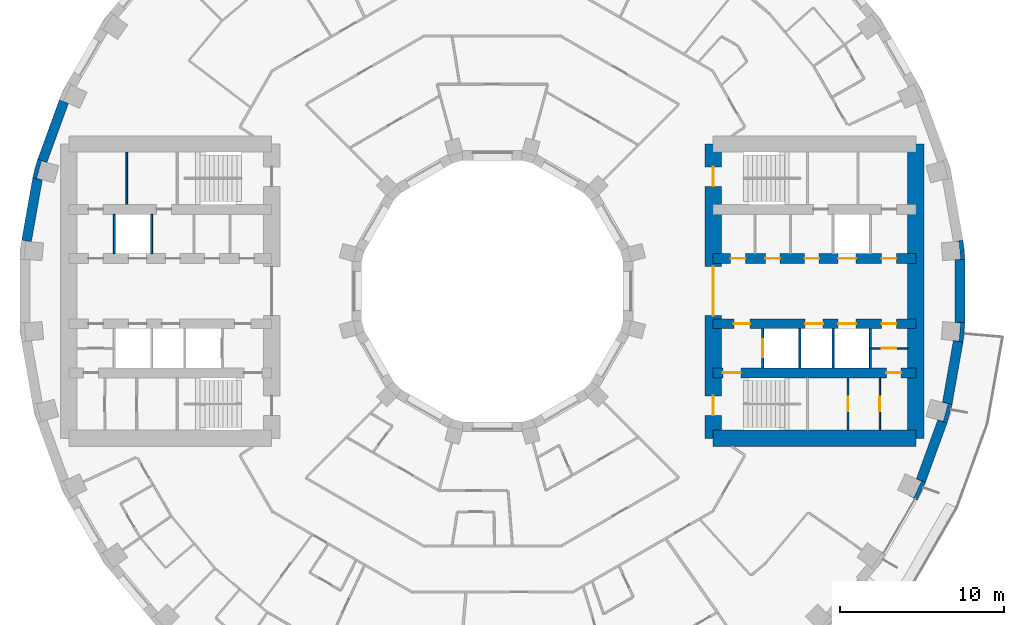
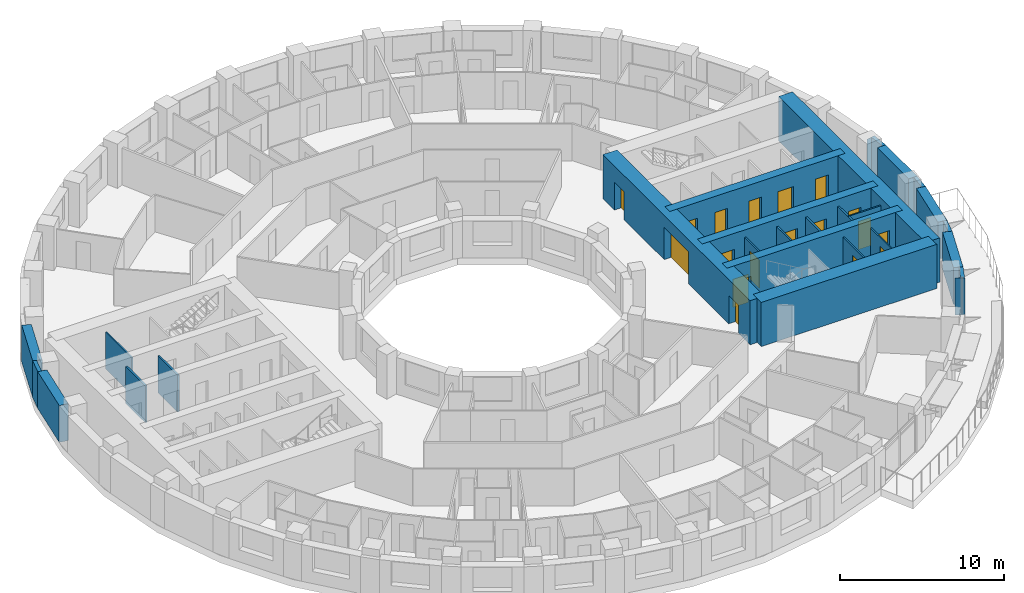
# One storey, part 9 of 15: 26 walls, 18 doors, 18 openings.
"""IFC4 building model written with IfcOpenShell, lengths in metres."""

from ifc_helpers import new_model, si_unit, direction, frame, frame_2d, origin, place, context, subcontext, project, spatial, polyline, rectangle, outline, extrude, material, layer, layer_set, type_object, element, fill, save


model = new_model("IFC4")

# Units and contexts
model_context = context("Model", 3, precision=1e-05, world=origin(), true_north=direction((0.0, 1.0)))
body_context = subcontext(model_context, "Body", "Model", "MODEL_VIEW")
ifc_project = project(units=[si_unit("LENGTHUNIT", "METRE"), si_unit("AREAUNIT", "SQUARE_METRE"), si_unit("VOLUMEUNIT", "CUBIC_METRE"), si_unit("PLANEANGLEUNIT", "RADIAN"), si_unit("MASSUNIT", "GRAM", prefix="KILO")], contexts=[model_context])

# Site, building, storey
site_placement = place(None, origin())
site = spatial("IfcSite", under=ifc_project, at=site_placement, CompositionType="ELEMENT")
building_placement = place(site_placement, origin())
building = spatial("IfcBuilding", under=site, at=building_placement, Name="Saqina Gate Tower", CompositionType="ELEMENT")
storey_placement = place(building_placement, frame((0.0, 0.0, 39.5)))
storey = spatial("IfcBuildingStorey", under=building, at=storey_placement, Name="L10", CompositionType="ELEMENT", Elevation=39.5)

# Walls
ifc_material_1 = material(Name="Brick masonry (red)", Category="masonry")
wall_type_1 = type_object("IfcWallType", Name="BRICK PIER COPING RED", PredefinedType="SOLIDWALL", material=ifc_material_1)
wall_1_placement = place(storey_placement, origin())
element("IfcWall", 1, at=wall_1_placement, inside=storey, type_object=wall_type_1, Name="Pier cap L10 column 1", PredefinedType="SOLIDWALL", context=body_context, shape_type="SweptSolid", body=[
    extrude(outline(polyline([(28.8896484375, 1.9228515625), (28.78466796875, 3.122802734375), (28.19384765625, 3.018798828125), (28.54296875, 3.04931640625), (28.638671875, 1.95361328125), (28.28955078125, 1.9228515625), (28.8896484375, 1.9228515625)])), origin(), (0.0, 0.0, 1.0), 2.75),
])
wall_2_placement = place(storey_placement, origin())
element("IfcWall", 2, at=wall_2_placement, inside=storey, type_object=wall_type_1, Name="Pier cap L10 column 17", PredefinedType="SOLIDWALL", context=body_context, shape_type="SweptSolid", body=[
    extrude(outline(polyline([(-28.11669921875, 6.910400390625), (-27.52587890625, 6.80615234375), (-27.864501953125, 6.896728515625), (-27.57958984375, 7.95947265625), (-27.2412109375, 7.86865234375), (-27.80517578125, 8.073974609375), (-28.11669921875, 6.910400390625)])), origin(), (0.0, 0.0, 1.0), 2.75),
])
wall_3_placement = place(storey_placement, origin())
element("IfcWall", 3, at=wall_3_placement, inside=storey, type_object=wall_type_1, Name="Pier cap L10 column 34", PredefinedType="SOLIDWALL", context=body_context, shape_type="SweptSolid", body=[
    extrude(outline(polyline([(26.48974609375, -11.687744140625), (25.92578125, -11.482666015625), (26.243408203125, -11.630615234375), (25.778564453125, -12.627685546875), (25.4609375, -12.4794921875), (25.980712890625, -12.779541015625), (26.48974609375, -11.687744140625)])), origin(), (0.0, 0.0, 1.0), 2.75),
])
wall_4_placement = place(storey_placement, origin())
element("IfcWall", 4, at=wall_4_placement, inside=storey, type_object=wall_type_1, Name="Pier cap L10 column 35", PredefinedType="SOLIDWALL", context=body_context, shape_type="SweptSolid", body=[
    extrude(outline(polyline([(28.11669921875, -6.910400390625), (27.52587890625, -6.80615234375), (27.864501953125, -6.896728515625), (27.57958984375, -7.95947265625), (27.2412109375, -7.86865234375), (27.80517578125, -8.073974609375), (28.11669921875, -6.910400390625)])), origin(), (0.0, 0.0, 1.0), 2.75),
])
wall_5_placement = place(storey_placement, origin())
element("IfcWall", 5, at=wall_5_placement, inside=storey, type_object=wall_type_1, Name="Pier cap L10 column 36", PredefinedType="SOLIDWALL", context=body_context, shape_type="SweptSolid", body=[
    extrude(outline(polyline([(28.78466796875, -3.122802734375), (28.8896484375, -1.9228515625), (28.28955078125, -1.9228515625), (28.638671875, -1.95361328125), (28.54296875, -3.04931640625), (28.19384765625, -3.018798828125), (28.78466796875, -3.122802734375)])), origin(), (0.0, 0.0, 1.0), 2.75),
])

# Wall, opening, door
ifc_material_2 = material(Name="Gypsum board on steel studs", Category="steel")
ifc_layer_1 = layer(ifc_material_2, 0.10009765625)
ifc_layer_set_1 = layer_set([ifc_layer_1], Name="CORE PARTITION")
wall_type_2 = type_object("IfcWallType", Name="CORE PARTITION", PredefinedType="PARTITIONING", material=ifc_layer_set_1)
wall_6_placement = place(storey_placement, frame((23.1201171875, -3.5, 0.0), z_axis=(0.0, 0.0, 1.0), x_axis=(1.0, 0.0, 0.0)))
wall_6 = element("IfcWall", 6, at=wall_6_placement, inside=storey, type_object=wall_type_2, Name="L10-CP-E09", PredefinedType="PARTITIONING", context=body_context, shape_type="SweptSolid", body=[
    extrude(rectangle(XDim=2.27978515625, YDim=0.10009765625, at=frame_2d((1.139892578125, 0.0))), origin(), (0.0, 0.0, 1.0), 2.75),
])
opening_1_placement = place(wall_6_placement, frame((0.68994140625, 0.0, 0.0)))
opening_1 = element("IfcOpeningElement", 7, at=opening_1_placement, cuts=wall_6, Name="Opening G02-D98", PredefinedType="OPENING", context=body_context, shape_type="SweptSolid", body=[
    extrude(rectangle(XDim=0.89990234375, YDim=2.10009765625, at=frame_2d((0.449951171875, 1.050048828125))), frame((0.0, 0.06201171875, 0.0), z_axis=(0.0, -1.0, 0.0), x_axis=(1.0, 0.0, 0.0)), (0.0, 0.0, 1.0), 0.1240234375),
])
ifc_material_3 = material(Name="Steel-framed fire door leaf, EI 60", Category="steel")
door_type_1 = type_object("IfcDoorType", Name="SERVICE ROOM DOOR 900", OperationType="SINGLE_SWING_LEFT", PredefinedType="DOOR", material=ifc_material_3)
door_1_placement = place(opening_1_placement, frame((0.89990234375, 0.0, 0.0), z_axis=(0.0, 0.0, 1.0), x_axis=(-1.0, 0.0, 0.0)))
door_1 = element("IfcDoor", 8, at=door_1_placement, inside=storey, type_object=door_type_1, Name="L10-CD-E09", OperationType="SINGLE_SWING_LEFT", OverallHeight=2.10009765625, OverallWidth=0.89990234375, PredefinedType="DOOR", context=body_context, shape_type="SweptSolid", body=[
    extrude(rectangle(XDim=0.89990234375, YDim=2.10009765625, at=frame_2d((0.449951171875, 1.050048828125))), frame((0.0, 0.02490234375, 0.0), z_axis=(0.0, -1.0, 0.0), x_axis=(1.0, 0.0, 0.0)), (0.0, 0.0, 1.0), 0.050048828125),
])
fill(opening_1, door_1)

wall_7_placement = place(storey_placement, frame((21.751953125, -8.5, 0.0), z_axis=(0.0, 0.0, 1.0), x_axis=(0.0, 1.0, 0.0)))
wall_7 = element("IfcWall", 9, at=wall_7_placement, inside=storey, type_object=wall_type_2, Name="L10-CP-E13", PredefinedType="PARTITIONING", context=body_context, shape_type="SweptSolid", body=[
    extrude(rectangle(XDim=3.199951171875, YDim=0.10009765625, at=frame_2d((1.60009765625, 0.0))), origin(), (0.0, 0.0, 1.0), 2.75),
])
opening_2_placement = place(wall_7_placement, frame((1.14990234375, 0.0, 0.0)))
opening_2 = element("IfcOpeningElement", 10, at=opening_2_placement, cuts=wall_7, Name="Opening G02-D100", PredefinedType="OPENING", context=body_context, shape_type="SweptSolid", body=[
    extrude(rectangle(XDim=0.89990234375, YDim=2.10009765625, at=frame_2d((0.449951171875, 1.050048828125))), frame((0.0, 0.06201171875, 0.0), z_axis=(0.0, -1.0, 0.0), x_axis=(1.0, 0.0, 0.0)), (0.0, 0.0, 1.0), 0.1240234375),
])
door_2_placement = place(opening_2_placement, origin())
door_2 = element("IfcDoor", 11, at=door_2_placement, inside=storey, type_object=door_type_1, Name="L10-CD-E11", OperationType="SINGLE_SWING_LEFT", OverallHeight=2.10009765625, OverallWidth=0.89990234375, PredefinedType="DOOR", context=body_context, shape_type="SweptSolid", body=[
    extrude(rectangle(XDim=0.89990234375, YDim=2.10009765625, at=frame_2d((0.449951171875, 1.050048828125))), frame((0.0, 0.02490234375, 0.0), z_axis=(0.0, -1.0, 0.0), x_axis=(1.0, 0.0, 0.0)), (0.0, 0.0, 1.0), 0.050048828125),
])
fill(opening_2, door_2)

wall_8_placement = place(storey_placement, frame((23.697509765625, -8.5, 0.0), z_axis=(0.0, 0.0, 1.0), x_axis=(0.0, 1.0, 0.0)))
wall_8 = element("IfcWall", 12, at=wall_8_placement, inside=storey, type_object=wall_type_2, Name="L10-CP-E14", PredefinedType="PARTITIONING", context=body_context, shape_type="SweptSolid", body=[
    extrude(rectangle(XDim=3.199951171875, YDim=0.10009765625, at=frame_2d((1.60009765625, 0.0))), origin(), (0.0, 0.0, 1.0), 2.75),
])
opening_3_placement = place(wall_8_placement, frame((1.14990234375, 0.0, 0.0)))
opening_3 = element("IfcOpeningElement", 13, at=opening_3_placement, cuts=wall_8, Name="Opening G02-D99", PredefinedType="OPENING", context=body_context, shape_type="SweptSolid", body=[
    extrude(rectangle(XDim=0.89990234375, YDim=2.10009765625, at=frame_2d((0.449951171875, 1.050048828125))), frame((0.0, 0.06201171875, 0.0), z_axis=(0.0, -1.0, 0.0), x_axis=(1.0, 0.0, 0.0)), (0.0, 0.0, 1.0), 0.1240234375),
])
door_3_placement = place(opening_3_placement, origin())
door_3 = element("IfcDoor", 14, at=door_3_placement, inside=storey, type_object=door_type_1, Name="L10-CD-E10", OperationType="SINGLE_SWING_LEFT", OverallHeight=2.10009765625, OverallWidth=0.89990234375, PredefinedType="DOOR", context=body_context, shape_type="SweptSolid", body=[
    extrude(rectangle(XDim=0.89990234375, YDim=2.10009765625, at=frame_2d((0.449951171875, 1.050048828125))), frame((0.0, 0.02490234375, 0.0), z_axis=(0.0, -1.0, 0.0), x_axis=(1.0, 0.0, 0.0)), (0.0, 0.0, 1.0), 0.050048828125),
])
fill(opening_3, door_3)

# Walls
wall_9_placement = place(storey_placement, frame((-22.360107421875, 5.300048828125, 0.0), z_axis=(0.0, 0.0, 1.0), x_axis=(0.0, 1.0, 0.0)))
element("IfcWall", 15, at=wall_9_placement, inside=storey, type_object=wall_type_2, Name="L10-CP-W11", PredefinedType="PARTITIONING", context=body_context, shape_type="SweptSolid", body=[
    extrude(rectangle(XDim=3.199951171875, YDim=0.10009765625, at=frame_2d((1.60009765625, 0.0))), origin(), (0.0, 0.0, 1.0), 2.75),
])
ifc_material_4 = material(Name="Glazed ceramic tile", Category="ceramic")
ifc_layer_2 = layer(ifc_material_4, 0.60009765625)
ifc_layer_set_2 = layer_set([ifc_layer_2], Name="FW-TILE")
wall_type_3 = type_object("IfcWallType", Name="FW-TILE", PredefinedType="SOLIDWALL", material=ifc_layer_set_2)
for number, where, z_axis, x_axis, name in (
    (16, (-27.8212890625, 6.858154296875, 0.0), (0.0, 0.0, 1.0), (-0.173687553279, -0.984800809218, 0.0), "Facade wall L10 facet 17"),
    (17, (27.8212890625, -6.858154296875, 0.0), (0.0, 0.0, 1.0), (0.173687553279, 0.984800809218, 0.0), "Facade wall L10 facet 35"),
):
    element("IfcWall", number, at=place(storey_placement, frame(where, z_axis=z_axis, x_axis=x_axis)), inside=storey, type_object=wall_type_3, Name=name, PredefinedType="SOLIDWALL", context=body_context, shape_type="SweptSolid", body=[
        extrude(rectangle(XDim=3.845703125, YDim=0.60009765625, at=frame_2d((1.9228515625, 0.0))), origin(), (0.0, 0.0, 1.0), 2.75),
    ])
ifc_material_5 = material(Name="Glazed ceramic tile (dark blue)", Category="ceramic")
ifc_layer_3 = layer(ifc_material_5, 0.60009765625)
ifc_layer_set_3 = layer_set([ifc_layer_3], Name="FW-TILE-CB")
wall_type_4 = type_object("IfcWallType", Name="FW-TILE-CB", PredefinedType="SOLIDWALL", material=ifc_layer_set_3)
wall_10_placement = place(storey_placement, frame((-26.207763671875, 11.585205078125, 0.0), z_axis=(0.0, 0.0, 1.0), x_axis=(-0.342028474173, -0.939689588564, 0.0)))
element("IfcWall", 18, at=wall_10_placement, inside=storey, type_object=wall_type_4, Name="Facade wall L10 facet 16", PredefinedType="SOLIDWALL", context=body_context, shape_type="SweptSolid", body=[
    extrude(rectangle(XDim=3.845947265625, YDim=0.60009765625, at=frame_2d((1.9228515625, 0.0))), origin(), (0.0, 0.0, 1.0), 2.75),
])
wall_11_placement = place(storey_placement, frame((28.589599609375, -1.9228515625, 0.0), z_axis=(0.0, 0.0, 1.0), x_axis=(0.0, 1.0, 0.0)))
element("IfcWall", 19, at=wall_11_placement, inside=storey, type_object=wall_type_4, Name="Facade wall L10 facet 36", PredefinedType="SOLIDWALL", context=body_context, shape_type="SweptSolid", body=[
    extrude(rectangle(XDim=3.845703125, YDim=0.60009765625, at=frame_2d((1.9228515625, 0.0))), origin(), (0.0, 0.0, 1.0), 2.75),
])
ifc_material_6 = material(Name="Glazed ceramic tile (white)", Category="ceramic")
ifc_layer_4 = layer(ifc_material_6, 0.60009765625)
ifc_layer_set_4 = layer_set([ifc_layer_4], Name="FW-TILE-WH")
wall_type_5 = type_object("IfcWallType", Name="FW-TILE-WH", PredefinedType="SOLIDWALL", material=ifc_layer_set_4)
wall_12_placement = place(storey_placement, frame((26.207763671875, -11.585205078125, 0.0), z_axis=(0.0, 0.0, 1.0), x_axis=(0.342028474173, 0.939689588564, 0.0)))
element("IfcWall", 20, at=wall_12_placement, inside=storey, type_object=wall_type_5, Name="Facade wall L10 facet 34", PredefinedType="SOLIDWALL", context=body_context, shape_type="SweptSolid", body=[
    extrude(rectangle(XDim=3.845947265625, YDim=0.60009765625, at=frame_2d((1.9228515625, 0.0))), origin(), (0.0, 0.0, 1.0), 2.75),
])

# Wall, opening, door
ifc_material_7 = material(Name="Autoclaved aerated concrete block", Category="concrete")
ifc_layer_5 = layer(ifc_material_7, 0.1201171875)
ifc_layer_set_5 = layer_set([ifc_layer_5], Name="SHAFT PARTITION")
wall_type_6 = type_object("IfcWallType", Name="SHAFT PARTITION", PredefinedType="PARTITIONING", material=ifc_layer_set_5)
wall_13_placement = place(storey_placement, frame((16.530029296875, -4.699951171875, 0.0), z_axis=(0.0, 0.0, 1.0), x_axis=(0.0, 1.0, 0.0)))
wall_13 = element("IfcWall", 21, at=wall_13_placement, inside=storey, type_object=wall_type_6, Name="L10-CP-E05", PredefinedType="PARTITIONING", context=body_context, shape_type="SweptSolid", body=[
    extrude(rectangle(XDim=2.39990234375, YDim=0.1201171875, at=frame_2d((1.199951171875, 0.0))), origin(), (0.0, 0.0, 1.0), 2.75),
])
opening_4_placement = place(wall_13_placement, frame((0.64990234375, 0.0, 0.0)))
opening_4 = element("IfcOpeningElement", 22, at=opening_4_placement, cuts=wall_13, Name="Opening G02-LD2", PredefinedType="OPENING", context=body_context, shape_type="SweptSolid", body=[
    extrude(rectangle(XDim=1.10009765625, YDim=2.10009765625, at=frame_2d((0.550048828125, 1.050048828125))), frame((0.0, 0.072021484375, 0.0), z_axis=(0.0, -1.0, 0.0), x_axis=(1.0, 0.0, 0.0)), (0.0, 0.0, 1.0), 0.14404296875),
])
ifc_material_8 = material(Name="Stainless steel", Category="steel")
door_type_2 = type_object("IfcDoorType", Name="LANDING DOOR", OperationType="DOUBLE_DOOR_SLIDING", PredefinedType="DOOR", material=ifc_material_8)
door_4_placement = place(opening_4_placement, origin())
door_4 = element("IfcDoor", 23, at=door_4_placement, inside=storey, type_object=door_type_2, Name="LANDING DOOR FF1", OperationType="DOUBLE_DOOR_SLIDING", OverallHeight=2.10009765625, OverallWidth=1.10009765625, PredefinedType="DOOR", context=body_context, shape_type="SweptSolid", body=[
    extrude(rectangle(XDim=1.10009765625, YDim=2.10009765625, at=frame_2d((0.550048828125, 1.050048828125))), frame((0.0, 0.02490234375, 0.0), z_axis=(0.0, -1.0, 0.0), x_axis=(1.0, 0.0, 0.0)), (0.0, 0.0, 1.0), 0.050048828125),
])
fill(opening_4, door_4)

# Walls
for number, where, z_axis, x_axis, name in (
    (24, (18.81005859375, -4.699951171875, 0.0), (0.0, 0.0, 1.0), (0.0, 1.0, 0.0), "L10-CP-E06"),
    (25, (20.840087890625, -4.699951171875, 0.0), (0.0, 0.0, 1.0), (0.0, 1.0, 0.0), "L10-CP-E07"),
    (26, (23.1201171875, -4.699951171875, 0.0), (0.0, 0.0, 1.0), (0.0, 1.0, 0.0), "L10-CP-E08"),
    (27, (-20.840087890625, 2.300048828125, 0.0), (0.0, 0.0, 1.0), (0.0, 1.0, 0.0), "L10-CP-W03"),
    (28, (-23.1201171875, 2.300048828125, 0.0), (0.0, 0.0, 1.0), (0.0, 1.0, 0.0), "L10-CP-W04"),
):
    element("IfcWall", number, at=place(storey_placement, frame(where, z_axis=z_axis, x_axis=x_axis)), inside=storey, type_object=wall_type_6, Name=name, PredefinedType="PARTITIONING", context=body_context, shape_type="SweptSolid", body=[
        extrude(rectangle(XDim=2.39990234375, YDim=0.1201171875, at=frame_2d((1.199951171875, 0.0))), origin(), (0.0, 0.0, 1.0), 2.75),
    ])

# Wall, openings, doors
ifc_material_9 = material(Name="Concrete C70/85", Category="concrete")
ifc_layer_6 = layer(ifc_material_9, 0.60009765625)
ifc_layer_set_6 = layer_set([ifc_layer_6], Name="Concrete C70/85")
wall_type_7 = type_object("IfcWallType", Name="STR-CORE WALL-A-I", PredefinedType="SHEAR", material=ifc_layer_set_6)
wall_14_placement = place(storey_placement, frame((13.5, -5.0, 0.0), z_axis=(0.0, 0.0, 1.0), x_axis=(1.0, 0.0, 0.0)))
wall_14 = element("IfcWall", 29, at=wall_14_placement, inside=storey, type_object=wall_type_7, Name="CORE WALL L10 E-X2", PredefinedType="SHEAR", context=body_context, shape_type="SweptSolid", body=[
    extrude(rectangle(XDim=12.39990234375, YDim=0.60009765625, at=frame_2d((6.199951171875, 0.0))), origin(), (0.0, 0.0, 1.0), 3.300048828125),
])
opening_5_placement = place(wall_14_placement, frame((10.598876953125, 0.0, 0.0)))
opening_5 = element("IfcOpeningElement", 30, at=opening_5_placement, cuts=wall_14, Name="Opening G02-D101", PredefinedType="OPENING", context=body_context, shape_type="SweptSolid", body=[
    extrude(rectangle(XDim=0.89990234375, YDim=2.10009765625, at=frame_2d((0.449951171875, 1.050048828125))), frame((0.0, 0.31201171875, 0.0), z_axis=(0.0, -1.0, 0.0), x_axis=(1.0, 0.0, 0.0)), (0.0, 0.0, 1.0), 0.6240234375),
])
opening_6_placement = place(wall_14_placement, frame((0.60009765625, 0.0, 0.0)))
opening_6 = element("IfcOpeningElement", 31, at=opening_6_placement, cuts=wall_14, Name="Opening G02-D102", PredefinedType="OPENING", context=body_context, shape_type="SweptSolid", body=[
    extrude(rectangle(XDim=1.10009765625, YDim=2.10009765625, at=frame_2d((0.550048828125, 1.050048828125))), frame((0.0, 0.31201171875, 0.0), z_axis=(0.0, -1.0, 0.0), x_axis=(1.0, 0.0, 0.0)), (0.0, 0.0, 1.0), 0.6240234375),
])
ifc_material_10 = material(Name="Steel", Category="steel")
door_type_3 = type_object("IfcDoorType", Name="FIRE LOBBY DOOR EI 60 WIDE", OperationType="SINGLE_SWING_LEFT", PredefinedType="DOOR", material=ifc_material_10)
door_5_placement = place(opening_6_placement, frame((1.10009765625, 0.0, 0.0), z_axis=(0.0, 0.0, 1.0), x_axis=(-1.0, 0.0, 0.0)))
door_5 = element("IfcDoor", 32, at=door_5_placement, inside=storey, type_object=door_type_3, Name="L10-CD-E13", OperationType="SINGLE_SWING_RIGHT", OverallHeight=2.10009765625, OverallWidth=1.10009765625, PredefinedType="DOOR", context=body_context, shape_type="SweptSolid", body=[
    extrude(rectangle(XDim=1.10009765625, YDim=2.10009765625, at=frame_2d((0.550048828125, 1.050048828125))), frame((0.0, 0.02490234375, 0.0), z_axis=(0.0, -1.0, 0.0), x_axis=(1.0, 0.0, 0.0)), (0.0, 0.0, 1.0), 0.050048828125),
])
fill(opening_6, door_5)
door_6_placement = place(opening_5_placement, frame((0.89990234375, 0.0, 0.0), z_axis=(0.0, 0.0, 1.0), x_axis=(-1.0, 0.0, 0.0)))
door_6 = element("IfcDoor", 33, at=door_6_placement, inside=storey, type_object=door_type_1, Name="L10-CD-E12", OperationType="SINGLE_SWING_LEFT", OverallHeight=2.10009765625, OverallWidth=0.89990234375, PredefinedType="DOOR", context=body_context, shape_type="SweptSolid", body=[
    extrude(rectangle(XDim=0.89990234375, YDim=2.10009765625, at=frame_2d((0.449951171875, 1.050048828125))), frame((0.0, 0.02490234375, 0.0), z_axis=(0.0, -1.0, 0.0), x_axis=(1.0, 0.0, 0.0)), (0.0, 0.0, 1.0), 0.050048828125),
])
fill(opening_5, door_6)

wall_15_placement = place(storey_placement, frame((13.5, 2.0, 0.0), z_axis=(0.0, 0.0, 1.0), x_axis=(1.0, 0.0, 0.0)))
wall_15 = element("IfcWall", 34, at=wall_15_placement, inside=storey, type_object=wall_type_7, Name="CORE WALL L10 E-L1", PredefinedType="SHEAR", context=body_context, shape_type="SweptSolid", body=[
    extrude(rectangle(XDim=12.39990234375, YDim=0.60009765625, at=frame_2d((6.199951171875, 0.0))), origin(), (0.0, 0.0, 1.0), 3.300048828125),
])
opening_7_placement = place(wall_15_placement, frame((7.64990234375, 0.0, 0.0)))
opening_7 = element("IfcOpeningElement", 35, at=opening_7_placement, cuts=wall_15, Name="Opening G02-LD1", PredefinedType="OPENING", context=body_context, shape_type="SweptSolid", body=[
    extrude(rectangle(XDim=1.10009765625, YDim=2.10009765625, at=frame_2d((0.550048828125, 1.050048828125))), frame((0.0, 0.31201171875, 0.0), z_axis=(0.0, -1.0, 0.0), x_axis=(1.0, 0.0, 0.0)), (0.0, 0.0, 1.0), 0.6240234375),
])
opening_8_placement = place(wall_15_placement, frame((1.075927734375, 0.0, 0.0)))
opening_8 = element("IfcOpeningElement", 36, at=opening_8_placement, cuts=wall_15, Name="Opening G02-D90", PredefinedType="OPENING", context=body_context, shape_type="SweptSolid", body=[
    extrude(rectangle(XDim=0.89990234375, YDim=2.10009765625, at=frame_2d((0.449951171875, 1.050048828125))), frame((0.0, 0.31201171875, 0.0), z_axis=(0.0, -1.0, 0.0), x_axis=(1.0, 0.0, 0.0)), (0.0, 0.0, 1.0), 0.6240234375),
])
opening_9_placement = place(wall_15_placement, frame((3.1962890625, 0.0, 0.0)))
opening_9 = element("IfcOpeningElement", 37, at=opening_9_placement, cuts=wall_15, Name="Opening G02-D91", PredefinedType="OPENING", context=body_context, shape_type="SweptSolid", body=[
    extrude(rectangle(XDim=0.89990234375, YDim=2.10009765625, at=frame_2d((0.449951171875, 1.050048828125))), frame((0.0, 0.31201171875, 0.0), z_axis=(0.0, -1.0, 0.0), x_axis=(1.0, 0.0, 0.0)), (0.0, 0.0, 1.0), 0.6240234375),
])
opening_10_placement = place(wall_15_placement, frame((5.59033203125, 0.0, 0.0)))
opening_10 = element("IfcOpeningElement", 38, at=opening_10_placement, cuts=wall_15, Name="Opening G02-D92", PredefinedType="OPENING", context=body_context, shape_type="SweptSolid", body=[
    extrude(rectangle(XDim=0.89990234375, YDim=2.10009765625, at=frame_2d((0.449951171875, 1.050048828125))), frame((0.0, 0.31201171875, 0.0), z_axis=(0.0, -1.0, 0.0), x_axis=(1.0, 0.0, 0.0)), (0.0, 0.0, 1.0), 0.6240234375),
])
opening_11_placement = place(wall_15_placement, frame((10.31005859375, 0.0, 0.0)))
opening_11 = element("IfcOpeningElement", 39, at=opening_11_placement, cuts=wall_15, Name="Opening G02-D93", PredefinedType="OPENING", context=body_context, shape_type="SweptSolid", body=[
    extrude(rectangle(XDim=0.89990234375, YDim=2.10009765625, at=frame_2d((0.449951171875, 1.050048828125))), frame((0.0, 0.31201171875, 0.0), z_axis=(0.0, -1.0, 0.0), x_axis=(1.0, 0.0, 0.0)), (0.0, 0.0, 1.0), 0.6240234375),
])
door_7_placement = place(opening_7_placement, origin())
door_7 = element("IfcDoor", 40, at=door_7_placement, inside=storey, type_object=door_type_2, Name="LANDING DOOR LR1", OperationType="DOUBLE_DOOR_SLIDING", OverallHeight=2.10009765625, OverallWidth=1.10009765625, PredefinedType="DOOR", context=body_context, shape_type="SweptSolid", body=[
    extrude(rectangle(XDim=1.10009765625, YDim=2.10009765625, at=frame_2d((0.550048828125, 1.050048828125))), frame((0.0, 0.02490234375, 0.0), z_axis=(0.0, -1.0, 0.0), x_axis=(1.0, 0.0, 0.0)), (0.0, 0.0, 1.0), 0.050048828125),
])
fill(opening_7, door_7)
door_8_placement = place(opening_8_placement, origin())
door_8 = element("IfcDoor", 41, at=door_8_placement, inside=storey, type_object=door_type_1, Name="L10-CD-E01", OperationType="SINGLE_SWING_RIGHT", OverallHeight=2.10009765625, OverallWidth=0.89990234375, PredefinedType="DOOR", context=body_context, shape_type="SweptSolid", body=[
    extrude(rectangle(XDim=0.89990234375, YDim=2.10009765625, at=frame_2d((0.449951171875, 1.050048828125))), frame((0.0, 0.02490234375, 0.0), z_axis=(0.0, -1.0, 0.0), x_axis=(1.0, 0.0, 0.0)), (0.0, 0.0, 1.0), 0.050048828125),
])
fill(opening_8, door_8)
door_9_placement = place(opening_9_placement, origin())
door_9 = element("IfcDoor", 42, at=door_9_placement, inside=storey, type_object=door_type_1, Name="L10-CD-E02", OperationType="SINGLE_SWING_LEFT", OverallHeight=2.10009765625, OverallWidth=0.89990234375, PredefinedType="DOOR", context=body_context, shape_type="SweptSolid", body=[
    extrude(rectangle(XDim=0.89990234375, YDim=2.10009765625, at=frame_2d((0.449951171875, 1.050048828125))), frame((0.0, 0.02490234375, 0.0), z_axis=(0.0, -1.0, 0.0), x_axis=(1.0, 0.0, 0.0)), (0.0, 0.0, 1.0), 0.050048828125),
])
fill(opening_9, door_9)
door_10_placement = place(opening_10_placement, origin())
door_10 = element("IfcDoor", 43, at=door_10_placement, inside=storey, type_object=door_type_1, Name="L10-CD-E03", OperationType="SINGLE_SWING_LEFT", OverallHeight=2.10009765625, OverallWidth=0.89990234375, PredefinedType="DOOR", context=body_context, shape_type="SweptSolid", body=[
    extrude(rectangle(XDim=0.89990234375, YDim=2.10009765625, at=frame_2d((0.449951171875, 1.050048828125))), frame((0.0, 0.02490234375, 0.0), z_axis=(0.0, -1.0, 0.0), x_axis=(1.0, 0.0, 0.0)), (0.0, 0.0, 1.0), 0.050048828125),
])
fill(opening_10, door_10)
door_11_placement = place(opening_11_placement, origin())
door_11 = element("IfcDoor", 44, at=door_11_placement, inside=storey, type_object=door_type_1, Name="L10-CD-E04", OperationType="SINGLE_SWING_RIGHT", OverallHeight=2.10009765625, OverallWidth=0.89990234375, PredefinedType="DOOR", context=body_context, shape_type="SweptSolid", body=[
    extrude(rectangle(XDim=0.89990234375, YDim=2.10009765625, at=frame_2d((0.449951171875, 1.050048828125))), frame((0.0, 0.02490234375, 0.0), z_axis=(0.0, -1.0, 0.0), x_axis=(1.0, 0.0, 0.0)), (0.0, 0.0, 1.0), 0.050048828125),
])
fill(opening_11, door_11)

wall_16_placement = place(storey_placement, frame((13.5, -2.0, 0.0), z_axis=(0.0, 0.0, 1.0), x_axis=(1.0, 0.0, 0.0)))
wall_16 = element("IfcWall", 45, at=wall_16_placement, inside=storey, type_object=wall_type_7, Name="CORE WALL L10 E-L2", PredefinedType="SHEAR", context=body_context, shape_type="SweptSolid", body=[
    extrude(rectangle(XDim=12.39990234375, YDim=0.60009765625, at=frame_2d((6.199951171875, 0.0))), origin(), (0.0, 0.0, 1.0), 3.300048828125),
])
opening_12_placement = place(wall_16_placement, frame((5.6201171875, 0.0, 0.0)))
opening_12 = element("IfcOpeningElement", 46, at=opening_12_placement, cuts=wall_16, Name="Opening G02-LD3", PredefinedType="OPENING", context=body_context, shape_type="SweptSolid", body=[
    extrude(rectangle(XDim=1.10009765625, YDim=2.10009765625, at=frame_2d((0.550048828125, 1.050048828125))), frame((0.0, 0.31201171875, 0.0), z_axis=(0.0, -1.0, 0.0), x_axis=(1.0, 0.0, 0.0)), (0.0, 0.0, 1.0), 0.6240234375),
])
opening_13_placement = place(wall_16_placement, frame((7.64990234375, 0.0, 0.0)))
opening_13 = element("IfcOpeningElement", 47, at=opening_13_placement, cuts=wall_16, Name="Opening G02-LD4", PredefinedType="OPENING", context=body_context, shape_type="SweptSolid", body=[
    extrude(rectangle(XDim=1.10009765625, YDim=2.10009765625, at=frame_2d((0.550048828125, 1.050048828125))), frame((0.0, 0.31201171875, 0.0), z_axis=(0.0, -1.0, 0.0), x_axis=(1.0, 0.0, 0.0)), (0.0, 0.0, 1.0), 0.6240234375),
])
opening_14_placement = place(wall_16_placement, frame((1.264892578125, 0.0, 0.0)))
opening_14 = element("IfcOpeningElement", 48, at=opening_14_placement, cuts=wall_16, Name="Opening G02-D94", PredefinedType="OPENING", context=body_context, shape_type="SweptSolid", body=[
    extrude(rectangle(XDim=1.0, YDim=2.10009765625, at=frame_2d((0.5, 1.050048828125))), frame((0.0, 0.31201171875, 0.0), z_axis=(0.0, -1.0, 0.0), x_axis=(1.0, 0.0, 0.0)), (0.0, 0.0, 1.0), 0.6240234375),
])
opening_15_placement = place(wall_16_placement, frame((10.31005859375, 0.0, 0.0)))
opening_15 = element("IfcOpeningElement", 49, at=opening_15_placement, cuts=wall_16, Name="Opening G02-D95", PredefinedType="OPENING", context=body_context, shape_type="SweptSolid", body=[
    extrude(rectangle(XDim=0.89990234375, YDim=2.10009765625, at=frame_2d((0.449951171875, 1.050048828125))), frame((0.0, 0.31201171875, 0.0), z_axis=(0.0, -1.0, 0.0), x_axis=(1.0, 0.0, 0.0)), (0.0, 0.0, 1.0), 0.6240234375),
])
ifc_material_11 = material(Name="Steel", Category="steel")
door_type_4 = type_object("IfcDoorType", Name="FIRE LOBBY DOOR EI 60", OperationType="SINGLE_SWING_LEFT", PredefinedType="DOOR", material=ifc_material_11)
door_12_placement = place(opening_14_placement, origin())
door_12 = element("IfcDoor", 50, at=door_12_placement, inside=storey, type_object=door_type_4, Name="L10-CD-E05", OperationType="SINGLE_SWING_LEFT", OverallHeight=2.10009765625, OverallWidth=1.0, PredefinedType="DOOR", context=body_context, shape_type="SweptSolid", body=[
    extrude(rectangle(XDim=1.0, YDim=2.10009765625, at=frame_2d((0.5, 1.050048828125))), frame((0.0, 0.02490234375, 0.0), z_axis=(0.0, -1.0, 0.0), x_axis=(1.0, 0.0, 0.0)), (0.0, 0.0, 1.0), 0.050048828125),
])
fill(opening_14, door_12)
door_13_placement = place(opening_12_placement, origin())
door_13 = element("IfcDoor", 51, at=door_13_placement, inside=storey, type_object=door_type_2, Name="LANDING DOOR LR3", OperationType="DOUBLE_DOOR_SLIDING", OverallHeight=2.10009765625, OverallWidth=1.10009765625, PredefinedType="DOOR", context=body_context, shape_type="SweptSolid", body=[
    extrude(rectangle(XDim=1.10009765625, YDim=2.10009765625, at=frame_2d((0.550048828125, 1.050048828125))), frame((0.0, 0.02490234375, 0.0), z_axis=(0.0, -1.0, 0.0), x_axis=(1.0, 0.0, 0.0)), (0.0, 0.0, 1.0), 0.050048828125),
])
fill(opening_12, door_13)
door_14_placement = place(opening_13_placement, origin())
door_14 = element("IfcDoor", 52, at=door_14_placement, inside=storey, type_object=door_type_2, Name="LANDING DOOR LR2", OperationType="DOUBLE_DOOR_SLIDING", OverallHeight=2.10009765625, OverallWidth=1.10009765625, PredefinedType="DOOR", context=body_context, shape_type="SweptSolid", body=[
    extrude(rectangle(XDim=1.10009765625, YDim=2.10009765625, at=frame_2d((0.550048828125, 1.050048828125))), frame((0.0, 0.02490234375, 0.0), z_axis=(0.0, -1.0, 0.0), x_axis=(1.0, 0.0, 0.0)), (0.0, 0.0, 1.0), 0.050048828125),
])
fill(opening_13, door_14)
door_15_placement = place(opening_15_placement, frame((0.89990234375, 0.0, 0.0), z_axis=(0.0, 0.0, 1.0), x_axis=(-1.0, 0.0, 0.0)))
door_15 = element("IfcDoor", 53, at=door_15_placement, inside=storey, type_object=door_type_1, Name="L10-CD-E06", OperationType="SINGLE_SWING_LEFT", OverallHeight=2.10009765625, OverallWidth=0.89990234375, PredefinedType="DOOR", context=body_context, shape_type="SweptSolid", body=[
    extrude(rectangle(XDim=0.89990234375, YDim=2.10009765625, at=frame_2d((0.449951171875, 1.050048828125))), frame((0.0, 0.02490234375, 0.0), z_axis=(0.0, -1.0, 0.0), x_axis=(1.0, 0.0, 0.0)), (0.0, 0.0, 1.0), 0.050048828125),
])
fill(opening_15, door_15)

ifc_material_12 = material(Name="Concrete C70/85", Category="concrete")
ifc_layer_7 = layer(ifc_material_12, 1.0)
ifc_layer_set_7 = layer_set([ifc_layer_7], Name="Concrete C70/85")
wall_type_8 = type_object("IfcWallType", Name="STR-CORE WALL-A-O", PredefinedType="SHEAR", material=ifc_layer_set_7)
wall_17_placement = place(storey_placement, frame((13.5, -9.0, 0.0), z_axis=(0.0, 0.0, 1.0), x_axis=(0.0, 1.0, 0.0)))
wall_17 = element("IfcWall", 54, at=wall_17_placement, inside=storey, type_object=wall_type_8, Name="CORE WALL L10 E-W1", PredefinedType="SHEAR", context=body_context, shape_type="SweptSolid", body=[
    extrude(rectangle(XDim=18.0, YDim=1.0, at=frame_2d((9.0, 0.0))), origin(), (0.0, 0.0, 1.0), 3.300048828125),
])
opening_16_placement = place(wall_17_placement, frame((15.39990234375, 0.0, 0.0)))
opening_16 = element("IfcOpeningElement", 55, at=opening_16_placement, cuts=wall_17, Name="Opening G02-D103", PredefinedType="OPENING", context=body_context, shape_type="SweptSolid", body=[
    extrude(rectangle(XDim=1.199951171875, YDim=2.10009765625, at=frame_2d((0.60009765625, 1.050048828125))), frame((0.0, 0.511962890625, 0.0), z_axis=(0.0, -1.0, 0.0), x_axis=(1.0, 0.0, 0.0)), (0.0, 0.0, 1.0), 1.02392578125),
])
opening_17_placement = place(wall_17_placement, frame((1.39990234375, 0.0, 0.0)))
opening_17 = element("IfcOpeningElement", 56, at=opening_17_placement, cuts=wall_17, Name="Opening G02-D104", PredefinedType="OPENING", context=body_context, shape_type="SweptSolid", body=[
    extrude(rectangle(XDim=1.199951171875, YDim=2.10009765625, at=frame_2d((0.60009765625, 1.050048828125))), frame((0.0, 0.511962890625, 0.0), z_axis=(0.0, -1.0, 0.0), x_axis=(1.0, 0.0, 0.0)), (0.0, 0.0, 1.0), 1.02392578125),
])
opening_18_placement = place(wall_17_placement, frame((7.5, 0.0, 0.0)))
opening_18 = element("IfcOpeningElement", 57, at=opening_18_placement, cuts=wall_17, Name="Opening G02-D105", PredefinedType="OPENING", context=body_context, shape_type="SweptSolid", body=[
    extrude(rectangle(XDim=3.0, YDim=2.39990234375, at=frame_2d((1.5, 1.199951171875))), frame((0.0, 0.511962890625, 0.0), z_axis=(0.0, -1.0, 0.0), x_axis=(1.0, 0.0, 0.0)), (0.0, 0.0, 1.0), 1.02392578125),
])
ifc_material_13 = material(Name="Steel", Category="steel")
door_type_5 = type_object("IfcDoorType", Name="FIRE DOOR EI 60", OperationType="SINGLE_SWING_LEFT", PredefinedType="DOOR", material=ifc_material_13)
door_16_placement = place(opening_16_placement, frame((1.199951171875, 0.0, 0.0), z_axis=(0.0, 0.0, 1.0), x_axis=(-1.0, 0.0, 0.0)))
door_16 = element("IfcDoor", 58, at=door_16_placement, inside=storey, type_object=door_type_5, Name="L10-CD-E14", OperationType="SINGLE_SWING_LEFT", OverallHeight=2.10009765625, OverallWidth=1.199951171875, PredefinedType="DOOR", context=body_context, shape_type="SweptSolid", body=[
    extrude(rectangle(XDim=1.199951171875, YDim=2.10009765625, at=frame_2d((0.60009765625, 1.050048828125))), frame((0.0, 0.02490234375, 0.0), z_axis=(0.0, -1.0, 0.0), x_axis=(1.0, 0.0, 0.0)), (0.0, 0.0, 1.0), 0.050048828125),
])
fill(opening_16, door_16)
door_17_placement = place(opening_17_placement, frame((1.199951171875, 0.0, 0.0), z_axis=(0.0, 0.0, 1.0), x_axis=(-1.0, 0.0, 0.0)))
door_17 = element("IfcDoor", 59, at=door_17_placement, inside=storey, type_object=door_type_5, Name="L10-CD-E15", OperationType="SINGLE_SWING_RIGHT", OverallHeight=2.10009765625, OverallWidth=1.199951171875, PredefinedType="DOOR", context=body_context, shape_type="SweptSolid", body=[
    extrude(rectangle(XDim=1.199951171875, YDim=2.10009765625, at=frame_2d((0.60009765625, 1.050048828125))), frame((0.0, 0.02490234375, 0.0), z_axis=(0.0, -1.0, 0.0), x_axis=(1.0, 0.0, 0.0)), (0.0, 0.0, 1.0), 0.050048828125),
])
fill(opening_17, door_17)
ifc_material_14 = material(Name="Steel and fire-resisting glass", Category="steel")
door_type_6 = type_object("IfcDoorType", Name="LOBBY SCREEN DOOR", OperationType="DOUBLE_DOOR_SLIDING", PredefinedType="DOOR", material=ifc_material_14)
door_18_placement = place(opening_18_placement, origin())
door_18 = element("IfcDoor", 60, at=door_18_placement, inside=storey, type_object=door_type_6, Name="L10-CD-E16", OperationType="DOUBLE_DOOR_SLIDING", OverallHeight=2.39990234375, OverallWidth=3.0, PredefinedType="DOOR", context=body_context, shape_type="SweptSolid", body=[
    extrude(rectangle(XDim=3.0, YDim=2.39990234375, at=frame_2d((1.5, 1.199951171875))), frame((0.0, 0.02490234375, 0.0), z_axis=(0.0, -1.0, 0.0), x_axis=(1.0, 0.0, 0.0)), (0.0, 0.0, 1.0), 0.050048828125),
])
fill(opening_18, door_18)

# Walls
wall_18_placement = place(storey_placement, frame((25.89990234375, -9.0, 0.0), z_axis=(0.0, 0.0, 1.0), x_axis=(0.0, 1.0, 0.0)))
element("IfcWall", 61, at=wall_18_placement, inside=storey, type_object=wall_type_8, Name="CORE WALL L10 E-W2", PredefinedType="SHEAR", context=body_context, shape_type="SweptSolid", body=[
    extrude(rectangle(XDim=18.0, YDim=1.0, at=frame_2d((9.0, 0.0))), origin(), (0.0, 0.0, 1.0), 3.300048828125),
])
wall_19_placement = place(storey_placement, frame((13.5, -9.0, 0.0), z_axis=(0.0, 0.0, 1.0), x_axis=(1.0, 0.0, 0.0)))
element("IfcWall", 62, at=wall_19_placement, inside=storey, type_object=wall_type_8, Name="CORE WALL L10 E-SE", PredefinedType="SHEAR", context=body_context, shape_type="SweptSolid", body=[
    extrude(rectangle(XDim=12.39990234375, YDim=1.0, at=frame_2d((6.199951171875, 0.0))), origin(), (0.0, 0.0, 1.0), 3.300048828125),
])

save(model, "model.ifc")
